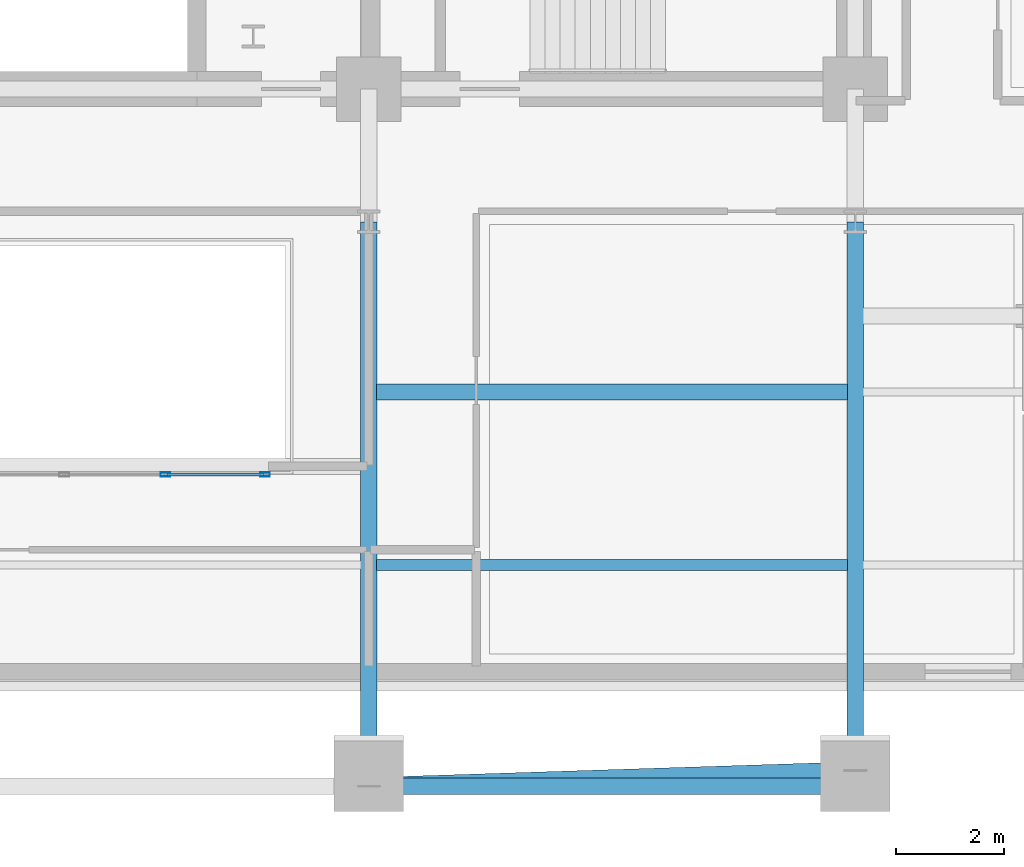
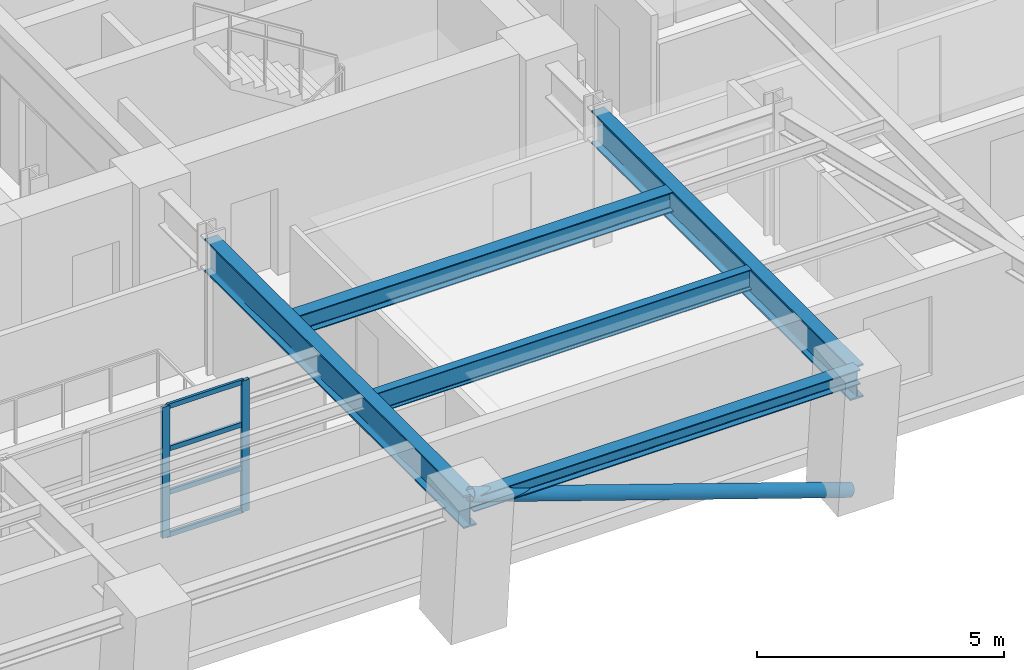
# One storey, part 4 of 14: 7 members, 5 beams, 1 element without a shape of its own.
"""IFC4 building model written with IfcOpenShell, lengths in metres."""

import ifcopenshell
import ifcopenshell.guid

model = None  # the IFC model being written
_history = None  # IfcOwnerHistory: only IFC2X3 demands one
_inside = {}  # id of a spatial element -> (the spatial element, [elements in it])
_under = {}  # id of a project, library or spatial element -> (it, [spatial elements below it])
_declared = {}  # id of a project -> (the project, [libraries it declares])
_typed = {}  # id of a type object -> (the type object, [elements of that type])
_made_of = {}  # id of a material, layer set ... -> (it, [elements and type objects made of it])


def new_model(schema):
    """Start an empty IFC model of exactly this schema.

    Asked for "IFC4X3", IfcOpenShell would pick the latest addendum, in which some entities
    have other attributes; the version numbers below select the first issue.
    IFC2X3 requires an IfcOwnerHistory on every rooted entity: one is made here for all.
    """
    global model, _history
    if schema == "IFC4X3":
        model = ifcopenshell.file(schema_version=(4, 3, 0, 0))
    else:
        model = ifcopenshell.file(schema=schema)
    _inside.clear()
    _under.clear()
    _declared.clear()
    _typed.clear()
    _made_of.clear()
    _history = None
    if model.schema == "IFC2X3":
        org = make("IfcOrganization", Name="unknown")
        user = make(
            "IfcPersonAndOrganization",
            ThePerson=make("IfcPerson", FamilyName="unknown"),
            TheOrganization=org,
        )
        app = make(
            "IfcApplication",
            ApplicationDeveloper=org,
            Version="unknown",
            ApplicationFullName="unknown",
            ApplicationIdentifier="unknown",
        )
        _history = make(
            "IfcOwnerHistory",
            OwningUser=user,
            OwningApplication=app,
            ChangeAction="ADDED",
            CreationDate=0,
        )
    return model


def make(cls, **values):
    """One entity of the class cls with the attributes given. An attribute that is None is left unset."""
    return model.create_entity(
        cls, **{name: value for name, value in values.items() if value is not None}
    )


def rooted(cls, **values):
    """An entity with a GlobalId (a new one), such as an element, a storey or a relation."""
    return make(cls, GlobalId=ifcopenshell.guid.new(), OwnerHistory=_history, **values)


def si_unit(unit_type, name, prefix=None):
    """IfcSIUnit, for example si_unit("LENGTHUNIT", "METRE", prefix="MILLI")."""
    return make("IfcSIUnit", UnitType=unit_type, Prefix=prefix, Name=name)


def assignment(units):
    """IfcUnitAssignment: the units of a project."""
    return None if units is None else make("IfcUnitAssignment", Units=units)


def point(xyz):
    """IfcCartesianPoint."""
    return None if xyz is None else make("IfcCartesianPoint", Coordinates=xyz)


def direction(xyz):
    """IfcDirection."""
    return None if xyz is None else make("IfcDirection", DirectionRatios=xyz)


def frame(location, z_axis=None, x_axis=None):
    """IfcAxis2Placement3D, a coordinate frame: its origin and axes. An axis left out is left unset."""
    return make(
        "IfcAxis2Placement3D",
        Location=point(location),
        Axis=direction(z_axis),
        RefDirection=direction(x_axis),
    )


def frame_2d(location, x_axis=None):
    """IfcAxis2Placement2D, a coordinate frame in the plane: its origin and x axis."""
    return make(
        "IfcAxis2Placement2D", Location=point(location), RefDirection=direction(x_axis)
    )


def origin():
    """The frame at (0, 0, 0) with its axes left unset."""
    return frame((0.0, 0.0, 0.0))


def origin_2d():
    """The frame at (0, 0) in the plane with its x axis left unset."""
    return frame_2d((0.0, 0.0))


def place(relative_to, where):
    """IfcLocalPlacement: puts the frame where relative to a parent placement (None: the world)."""
    return make(
        "IfcLocalPlacement", PlacementRelTo=relative_to, RelativePlacement=where
    )


def context(
    kind, dimensions, precision=None, world=None, true_north=None, identifier=None
):
    """IfcGeometricRepresentationContext, for example the 3D "Model" context."""
    return make(
        "IfcGeometricRepresentationContext",
        ContextIdentifier=identifier,
        ContextType=kind,
        CoordinateSpaceDimension=dimensions,
        Precision=precision,
        WorldCoordinateSystem=world,
        TrueNorth=true_north,
    )


def subcontext(parent, identifier, kind, view, scale=None):
    """IfcGeometricRepresentationSubContext, for example "Body" below "Model"."""
    return make(
        "IfcGeometricRepresentationSubContext",
        ContextIdentifier=identifier,
        ContextType=kind,
        ParentContext=parent,
        TargetScale=scale,
        TargetView=view,
    )


def project(units=None, contexts=None):
    """IfcProject with its units and contexts."""
    return rooted(
        "IfcProject",
        Name="project",
        RepresentationContexts=contexts,
        UnitsInContext=assignment(units),
    )


def spatial(cls, under=None, at=None, **own):
    """A site, building, storey or space (cls), placed at a placement, below another one or the project."""
    s = rooted(cls, ObjectPlacement=at, **own)
    if under is not None:
        _under.setdefault(under.id(), (under, []))[1].append(s)
    return s


def profile(cls, at=None, kind="AREA", **sizes):
    """A parametric profile (cls). Its sizes go by their IFC names, for example OverallWidth=200.0."""
    return make(cls, ProfileType=kind, Position=at, **sizes)


def hollow_rectangle(**sizes):
    """IfcRectangleHollowProfileDef."""
    return profile("IfcRectangleHollowProfileDef", **sizes)


def hollow_circle(**sizes):
    """IfcCircleHollowProfileDef."""
    return profile("IfcCircleHollowProfileDef", **sizes)


def i_section(**sizes):
    """IfcIShapeProfileDef."""
    return profile("IfcIShapeProfileDef", **sizes)


def extrude(swept, where, along, depth):
    """IfcExtrudedAreaSolid: the profile swept, set in the frame where, extruded along a direction by depth."""
    return make(
        "IfcExtrudedAreaSolid",
        SweptArea=swept,
        Position=where,
        ExtrudedDirection=direction(along),
        Depth=depth,
    )


def shape(context_of_items, identifier, shape_type, items):
    """IfcShapeRepresentation: the items that make up one representation, for example the "Body"."""
    return make(
        "IfcShapeRepresentation",
        ContextOfItems=context_of_items,
        RepresentationIdentifier=identifier,
        RepresentationType=shape_type,
        Items=items,
    )


def material(Name=None, Category=None):
    """IfcMaterial."""
    return make("IfcMaterial", Name=Name, Category=Category)


def layer(
    of_material, thickness, ventilated=None, Name=None, Category=None, Priority=None
):
    """IfcMaterialLayer: one layer of a wall or slab, of a material (None: an air gap)."""
    return make(
        "IfcMaterialLayer",
        Material=of_material,
        LayerThickness=thickness,
        IsVentilated=ventilated,
        Name=Name,
        Category=Category,
        Priority=Priority,
    )


def layer_set(layers, Name=None):
    """IfcMaterialLayerSet."""
    return make("IfcMaterialLayerSet", MaterialLayers=layers, LayerSetName=Name)


def material_profile(
    of_material, cross_section, Name=None, Category=None, Priority=None
):
    """IfcMaterialProfile: a cross section and its material."""
    return make(
        "IfcMaterialProfile",
        Name=Name,
        Material=of_material,
        Profile=cross_section,
        Priority=Priority,
        Category=Category,
    )


def profile_set(profiles, Name=None, composite=None):
    """IfcMaterialProfileSet."""
    return make(
        "IfcMaterialProfileSet",
        Name=Name,
        MaterialProfiles=profiles,
        CompositeProfile=composite,
    )


def made_of(thing, what):
    """Note that an element or type object is made of a material, layer set ...; save() writes the relation."""
    if what is not None:
        _made_of.setdefault(what.id(), (what, []))[1].append(thing)
    return thing


def type_object(cls, material=None, **own):
    """A type object (cls), such as IfcWallType, which elements share."""
    return made_of(rooted(cls, **own), material)


def element(
    cls,
    number,
    at=None,
    inside=None,
    cuts=None,
    type_object=None,
    material=None,
    context=None,
    identifier="Body",
    shape_type=None,
    held_by="IfcProductDefinitionShape",
    body=None,
    shapes=None,
    **own,
):
    """One element of the class cls, such as IfcWall. Its Tag is "e" and its number.

    at: its placement. inside: the storey or other place that contains it. cuts: it is an
    opening in that element (IfcRelVoidsElement). A single representation is given by context,
    identifier, shape_type and body (its items); several are given by shapes. held_by: the class
    of the entity that holds the representations. save() writes the other relations.
    """
    e = rooted(cls, Tag="e%d" % number, ObjectPlacement=at, **own)
    if body is not None:
        shapes = [shape(context, identifier, shape_type, body)]
    if shapes is not None:
        e.Representation = make(held_by, Representations=shapes)
    if inside is not None:
        _inside.setdefault(inside.id(), (inside, []))[1].append(e)
    if cuts is not None:
        rooted(
            "IfcRelVoidsElement", RelatingBuildingElement=cuts, RelatedOpeningElement=e
        )
    if type_object is not None:
        _typed.setdefault(type_object.id(), (type_object, []))[1].append(e)
    return made_of(e, material)


def aggregate(whole, parts):
    """IfcRelAggregates: a whole, such as a stair, and the parts it consists of."""
    return rooted("IfcRelAggregates", RelatingObject=whole, RelatedObjects=parts)


def save(model, path):
    """Write the relations noted so far, then the file.

    IfcRelAggregates (storeys below a building ...), IfcRelContainedInSpatialStructure (elements
    in a storey), IfcRelDefinesByType, IfcRelAssociatesMaterial and IfcRelDeclares: one each for
    every whole, place, type object, material and project.
    """
    for whole, parts in _under.values():
        aggregate(whole, parts)
    for where, things in _inside.values():
        rooted(
            "IfcRelContainedInSpatialStructure",
            RelatedElements=things,
            RelatingStructure=where,
        )
    for kind, things in _typed.values():
        rooted("IfcRelDefinesByType", RelatedObjects=things, RelatingType=kind)
    for what, things in _made_of.values():
        rooted("IfcRelAssociatesMaterial", RelatedObjects=things, RelatingMaterial=what)
    for by, libraries in _declared.values():
        rooted("IfcRelDeclares", RelatingContext=by, RelatedDefinitions=libraries)
    model.write(path)


model = new_model("IFC4")

# Units and contexts
model_context = context("Model", 3, precision=1e-05, world=origin(), true_north=direction((0.0, 1.0)))
body_context = subcontext(model_context, "Body", "Model", "MODEL_VIEW")
ifc_project = project(units=[si_unit("LENGTHUNIT", "METRE"), si_unit("AREAUNIT", "SQUARE_METRE"), si_unit("VOLUMEUNIT", "CUBIC_METRE"), si_unit("PLANEANGLEUNIT", "RADIAN"), si_unit("MASSUNIT", "GRAM", prefix="KILO")], contexts=[model_context])

# Site, building, storey
site_placement = place(None, origin())
site = spatial("IfcSite", under=ifc_project, at=site_placement, CompositionType="ELEMENT")
building_placement = place(site_placement, origin())
building = spatial("IfcBuilding", under=site, at=building_placement, Name="Zarnavel Station Tower", CompositionType="ELEMENT")
storey_placement = place(building_placement, frame((0.0, 0.0, 122.300048828125)))
storey = spatial("IfcBuildingStorey", under=building, at=storey_placement, Name="L33", CompositionType="ELEMENT", Elevation=122.300048828125)

# Curtain wall, members
ifc_material_1 = material(Name="Aluminium Dark Anodised and Solar-Control Glass", Category="aluminium")
ifc_layer = layer(ifc_material_1, 0.179931640625)
ifc_layer_set = layer_set([ifc_layer], Name="CWS3")
curtain_wall_type = type_object("IfcCurtainWallType", Name="CWS3", PredefinedType="NOTDEFINED", material=ifc_layer_set)
curtain_wall_placement = place(storey_placement, origin())
curtain_wall = element("IfcCurtainWall", 1, at=curtain_wall_placement, inside=storey, type_object=curtain_wall_type, Name="L33 Curtain Wall CWS3-L33-AS", PredefinedType="NOTDEFINED")
ifc_material_2 = material(Name="Steel S355J2 (Black Fluoropolymer Coated)", Category="steel")
ifc_material_profile_1 = material_profile(ifc_material_2, hollow_rectangle(XDim=0.080078125, YDim=0.179931640625, WallThickness=0.00634765625, at=origin_2d()), Name="RHS180x80x6.3")
ifc_profile_set_1 = profile_set([ifc_material_profile_1], Name="Steel S355J2 (Black Fluoropolymer Coated)")
member_type_1 = type_object("IfcMemberType", Name="CWS3_MUL", PredefinedType="MULLION", material=ifc_profile_set_1)
member_1_placement = place(storey_placement, frame((32.566650390625, 20.64990234375, 0.0), z_axis=(0.0, 0.0, 1.0), x_axis=(0.0, 1.0, 0.0)))
member_1 = element("IfcMember", 2, at=member_1_placement, type_object=member_type_1, Name="CW3 mullion 6", PredefinedType="MULLION", context=body_context, shape_type="SweptSolid", body=[
    extrude(hollow_rectangle(XDim=0.080078125, YDim=0.179931640625, WallThickness=0.00634765625, at=origin_2d()), origin(), (0.0, 0.0, 1.0), 3.239990234375),
])
member_2_placement = place(storey_placement, frame((34.419921875, 20.64990234375, 0.0), z_axis=(0.0, 0.0, 1.0), x_axis=(0.0, 1.0, 0.0)))
member_2 = element("IfcMember", 3, at=member_2_placement, type_object=member_type_1, Name="CW3 mullion 7", PredefinedType="MULLION", context=body_context, shape_type="SweptSolid", body=[
    extrude(hollow_rectangle(XDim=0.080078125, YDim=0.179931640625, WallThickness=0.00634765625, at=origin_2d()), origin(), (0.0, 0.0, 1.0), 3.239990234375),
])
ifc_material_3 = material(Name="Steel S355J2 (Black Fluoropolymer Coated)", Category="steel")
ifc_material_profile_2 = material_profile(ifc_material_3, hollow_rectangle(XDim=0.06005859375, YDim=0.1201171875, WallThickness=0.0048828125, at=origin_2d()), Name="RHS120x60x5")
ifc_profile_set_2 = profile_set([ifc_material_profile_2], Name="Steel S355J2 (Black Fluoropolymer Coated)")
member_type_2 = type_object("IfcMemberType", Name="CWS3_TRN", PredefinedType="USERDEFINED", material=ifc_profile_set_2)
member_3_placement = place(storey_placement, frame((32.5966796875, 20.64990234375, 0.030029296875), z_axis=(1.0, 0.0, 0.0), x_axis=(0.0, 1.0, 0.0)))
member_3 = element("IfcMember", 4, at=member_3_placement, type_object=member_type_2, Name="CW3 transom 6.1", ObjectType="TRANSOM", PredefinedType="USERDEFINED", context=body_context, shape_type="SweptSolid", body=[
    extrude(hollow_rectangle(XDim=0.06005859375, YDim=0.1201171875, WallThickness=0.0048828125, at=origin_2d()), origin(), (0.0, 0.0, 1.0), 1.793212890625),
])
member_4_placement = place(storey_placement, frame((32.5966796875, 20.64990234375, 1.079833984375), z_axis=(1.0, 0.0, 0.0), x_axis=(0.0, 1.0, 0.0)))
member_4 = element("IfcMember", 5, at=member_4_placement, type_object=member_type_2, Name="CW3 transom 6.2", ObjectType="TRANSOM", PredefinedType="USERDEFINED", context=body_context, shape_type="SweptSolid", body=[
    extrude(hollow_rectangle(XDim=0.06005859375, YDim=0.1201171875, WallThickness=0.0048828125, at=origin_2d()), origin(), (0.0, 0.0, 1.0), 1.793212890625),
])
member_5_placement = place(storey_placement, frame((32.5966796875, 20.64990234375, 2.159912109375), z_axis=(1.0, 0.0, 0.0), x_axis=(0.0, 1.0, 0.0)))
member_5 = element("IfcMember", 6, at=member_5_placement, type_object=member_type_2, Name="CW3 transom 6.3", ObjectType="TRANSOM", PredefinedType="USERDEFINED", context=body_context, shape_type="SweptSolid", body=[
    extrude(hollow_rectangle(XDim=0.06005859375, YDim=0.1201171875, WallThickness=0.0048828125, at=origin_2d()), origin(), (0.0, 0.0, 1.0), 1.793212890625),
])
member_6_placement = place(storey_placement, frame((32.5966796875, 20.64990234375, 3.2099609375), z_axis=(1.0, 0.0, 0.0), x_axis=(0.0, 1.0, 0.0)))
member_6 = element("IfcMember", 7, at=member_6_placement, type_object=member_type_2, Name="CW3 transom 6.4", ObjectType="TRANSOM", PredefinedType="USERDEFINED", context=body_context, shape_type="SweptSolid", body=[
    extrude(hollow_rectangle(XDim=0.06005859375, YDim=0.1201171875, WallThickness=0.0048828125, at=origin_2d()), origin(), (0.0, 0.0, 1.0), 1.793212890625),
])
aggregate(curtain_wall, [member_1, member_2, member_3, member_4, member_5, member_6])

# Member
ifc_material_4 = material(Name="Steel S355J2", Category="steel")
ifc_material_profile_3 = material_profile(ifc_material_4, hollow_circle(Radius=0.161865234375, WallThickness=0.012451171875, at=origin_2d()), Name="CHS323.9x12.5")
ifc_profile_set_3 = profile_set([ifc_material_profile_3], Name="Steel S355J2")
member_type_3 = type_object("IfcMemberType", Name="DB_EXT_CHS324", PredefinedType="BRACE", material=ifc_profile_set_3)
member_7_placement = place(storey_placement, frame((45.39990234375, 15.145263671875, 0.0), z_axis=(-0.94104157458, -0.030540439576, 0.336909537505), x_axis=(0.032436790978, -0.999473788846, 0.0)))
element("IfcMember", 8, at=member_7_placement, inside=storey, type_object=member_type_3, Name="L33 Persian Exterior Diagonal Frame Brace 2", PredefinedType="BRACE", context=body_context, shape_type="SweptSolid", body=[
    extrude(hollow_circle(Radius=0.161865234375, WallThickness=0.012451171875, at=origin_2d()), origin(), (0.0, 0.0, 1.0), 9.61669921875),
])

# Beams
ifc_material_5 = material(Name="Steel S355J2", Category="steel")
ifc_material_profile_4 = material_profile(ifc_material_5, i_section(OverallWidth=0.300048828125, OverallDepth=0.360107421875, WebThickness=0.012451171875, FlangeThickness=0.0224609375, FilletRadius=0.027099609375, at=origin_2d()), Name="HEB360")
ifc_profile_set_4 = profile_set([ifc_material_profile_4], Name="Steel S355J2")
beam_type_1 = type_object("IfcBeamType", Name="EB_HEB360", PredefinedType="SPANDREL", material=ifc_profile_set_4)
beam_1_placement = place(storey_placement, frame((36.35009765625, 14.8515625, 3.06005859375), z_axis=(1.0, 0.0, 0.0), x_axis=(0.0, 1.0, 0.0)))
element("IfcBeam", 9, at=beam_1_placement, inside=storey, type_object=beam_type_1, Name="L33 South Raked Spandrel 4", PredefinedType="SPANDREL", context=body_context, shape_type="SweptSolid", body=[
    extrude(i_section(OverallWidth=0.300048828125, OverallDepth=0.360107421875, WebThickness=0.012451171875, FlangeThickness=0.0224609375, FilletRadius=0.027099609375, at=origin_2d()), origin(), (0.0, 0.0, 1.0), 9.0498046875),
])
ifc_material_6 = material(Name="Steel S355J2", Category="steel")
ifc_material_profile_5 = material_profile(ifc_material_6, i_section(OverallWidth=0.300048828125, OverallDepth=0.489990234375, WebThickness=0.011962890625, FlangeThickness=0.02294921875, FilletRadius=0.027099609375, at=origin_2d()), Name="HEA500")
ifc_profile_set_5 = profile_set([ifc_material_profile_5], Name="Steel S355J2")
beam_type_2 = type_object("IfcBeamType", Name="FB_HEA500", PredefinedType="BEAM", material=ifc_profile_set_5)
beam_2_placement = place(storey_placement, frame((36.4951171875, 22.183837890625, 2.994873046875), z_axis=(1.0, 0.0, 0.0), x_axis=(0.0, 1.0, 0.0)))
element("IfcBeam", 10, at=beam_2_placement, inside=storey, type_object=beam_type_2, Name="L33 East Bay Beam 2", PredefinedType="BEAM", context=body_context, shape_type="SweptSolid", body=[
    extrude(i_section(OverallWidth=0.300048828125, OverallDepth=0.489990234375, WebThickness=0.011962890625, FlangeThickness=0.02294921875, FilletRadius=0.027099609375, at=origin_2d()), origin(), (0.0, 0.0, 1.0), 8.759765625),
])
ifc_material_7 = material(Name="Steel S355J2", Category="steel")
ifc_material_profile_6 = material_profile(ifc_material_7, i_section(OverallWidth=0.199951171875, OverallDepth=0.5, WebThickness=0.01025390625, FlangeThickness=0.01611328125, FilletRadius=0.02099609375, at=origin_2d()), Name="IPE500")
ifc_profile_set_6 = profile_set([ifc_material_profile_6], Name="Steel S355J2")
beam_type_3 = type_object("IfcBeamType", Name="FB_IPE500", PredefinedType="BEAM", material=ifc_profile_set_6)
beam_3_placement = place(storey_placement, frame((36.4951171875, 18.9677734375, 2.989990234375), z_axis=(1.0, 0.0, 0.0), x_axis=(0.0, 1.0, 0.0)))
element("IfcBeam", 11, at=beam_3_placement, inside=storey, type_object=beam_type_3, Name="L33 East Bay Beam 1", PredefinedType="BEAM", context=body_context, shape_type="SweptSolid", body=[
    extrude(i_section(OverallWidth=0.199951171875, OverallDepth=0.5, WebThickness=0.01025390625, FlangeThickness=0.01611328125, FilletRadius=0.02099609375, at=origin_2d()), origin(), (0.0, 0.0, 1.0), 8.759765625),
])
ifc_material_8 = material(Name="Steel S460M", Category="steel")
ifc_material_profile_7 = material_profile(ifc_material_8, i_section(OverallWidth=0.302978515625, OverallDepth=0.81396484375, WebThickness=0.02099609375, FlangeThickness=0.0400390625, FilletRadius=0.030029296875, at=origin_2d()), Name="HEM800")
ifc_profile_set_7 = profile_set([ifc_material_profile_7], Name="Steel S460M")
beam_type_4 = type_object("IfcBeamType", Name="FG_HEM800", PredefinedType="USERDEFINED", material=ifc_profile_set_7)
for number, where, z_axis, x_axis, name in (
    (12, (36.35009765625, 14.8515625, 2.8330078125), (0.0, 1.0, 0.0), (-1.0, 0.0, 0.0), "L33 South-Zone NS Girder 4"),
    (13, (45.39990234375, 14.8515625, 2.8330078125), (0.0, 1.0, 0.0), (-1.0, 0.0, 0.0), "L33 South-Zone NS Girder 5"),
):
    element("IfcBeam", number, at=place(storey_placement, frame(where, z_axis=z_axis, x_axis=x_axis)), inside=storey, type_object=beam_type_4, Name=name, ObjectType="GIRDER", PredefinedType="USERDEFINED", context=body_context, shape_type="SweptSolid", body=[
        extrude(i_section(OverallWidth=0.302978515625, OverallDepth=0.81396484375, WebThickness=0.02099609375, FlangeThickness=0.0400390625, FilletRadius=0.030029296875, at=origin_2d()), origin(), (0.0, 0.0, 1.0), 10.49853515625),
    ])

save(model, "model.ifc")
